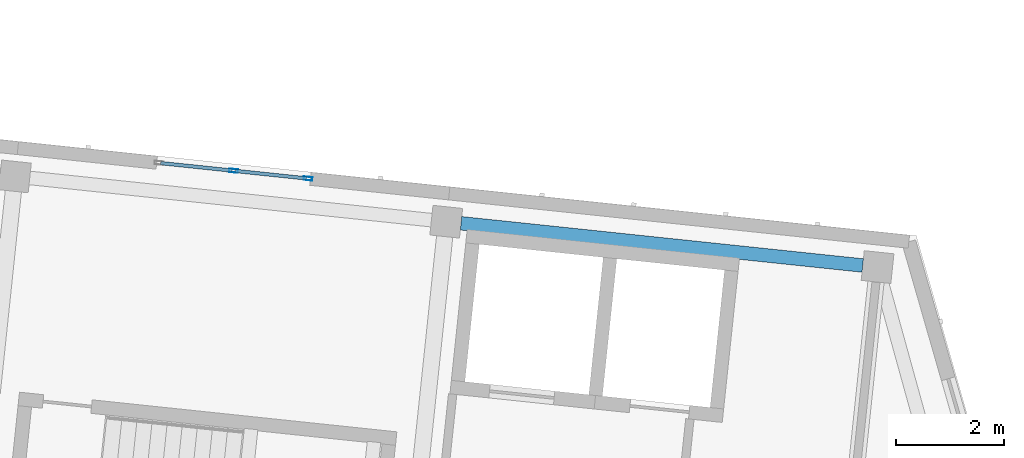
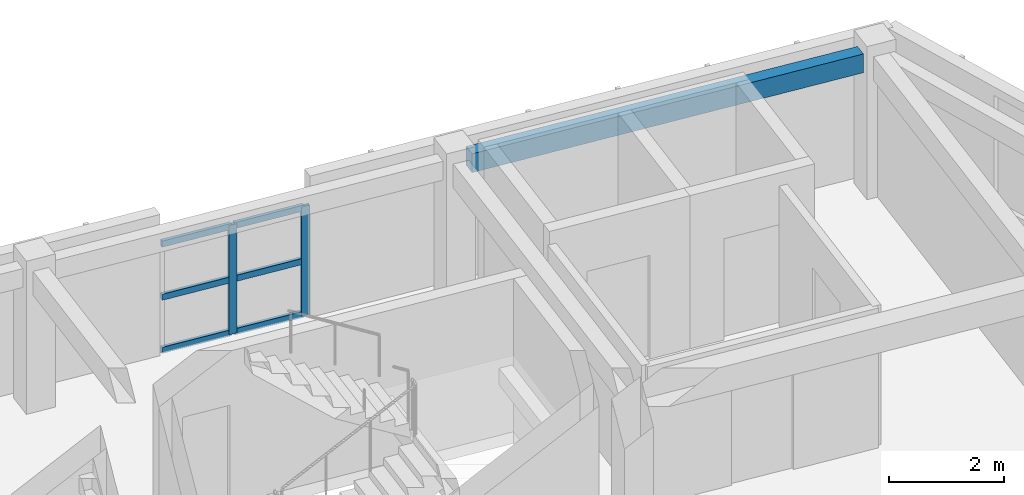
# One storey, part 16 of 68: 8 members, 1 beam, 1 element without a shape of its own.
"""IFC4 building model written with IfcOpenShell, lengths in metres."""

from ifc_helpers import new_model, si_unit, direction, frame, origin, origin_2d, place, context, subcontext, project, spatial, rectangle, hollow_rectangle, extrude, material, material_profile, profile_set, type_object, element, aggregate, save


model = new_model("IFC4")

# Units and contexts
model_context = context("Model", 3, precision=1e-05, world=origin(), true_north=direction((0.0, 1.0)))
body_context = subcontext(model_context, "Body", "Model", "MODEL_VIEW")
ifc_project = project(units=[si_unit("LENGTHUNIT", "METRE"), si_unit("AREAUNIT", "SQUARE_METRE"), si_unit("VOLUMEUNIT", "CUBIC_METRE"), si_unit("PLANEANGLEUNIT", "RADIAN"), si_unit("MASSUNIT", "GRAM", prefix="KILO")], contexts=[model_context])

# Site, building, storey
site_placement = place(None, origin())
site = spatial("IfcSite", under=ifc_project, at=site_placement, CompositionType="ELEMENT")
building_placement = place(site_placement, origin())
building = spatial("IfcBuilding", under=site, at=building_placement, Name="Kestramere Prow Commons", CompositionType="ELEMENT")
storey_placement = place(building_placement, frame((0.0, 0.0, 18.14990234375)))
storey = spatial("IfcBuildingStorey", under=building, at=storey_placement, Name="L05", CompositionType="ELEMENT", Elevation=18.14990234375)

# Curtain wall, members
ifc_material_1 = material(Name="Anodised Aluminium and Low-E Glass", Category="aluminium")
curtain_wall_type = type_object("IfcCurtainWallType", Name="CW-03 Glazed Curtain Wall 2830x2320", PredefinedType="USERDEFINED", material=ifc_material_1)
curtain_wall_placement = place(storey_placement, origin())
curtain_wall = element("IfcCurtainWall", 1, at=curtain_wall_placement, inside=storey, type_object=curtain_wall_type, Name="Block B L05 Stairwell Vertical Glazing 5", ObjectType="GLAZED CURTAIN WALL", PredefinedType="USERDEFINED")
ifc_material_2 = material(Name="Anodised Aluminium 6063-T6", Category="aluminium")
ifc_material_profile_1 = material_profile(ifc_material_2, hollow_rectangle(XDim=0.06494140625, YDim=0.159912109375, WallThickness=0.00390625, at=origin_2d()), Name="ALU-MUL 65x160")
ifc_profile_set_1 = profile_set([ifc_material_profile_1], Name="Anodised Aluminium 6063-T6")
member_type_1 = type_object("IfcMemberType", Name="CW-MUL-65x160", PredefinedType="MULLION", material=ifc_profile_set_1)
member_1_placement = place(storey_placement, frame((147.906494140625, 111.0517578125, 0.0), z_axis=(0.0, 0.0, 1.0), x_axis=(0.104528269348, 0.99452191575, 0.0)))
member_1 = element("IfcMember", 2, at=member_1_placement, type_object=member_type_1, Name="CW-03 mullion 2", PredefinedType="MULLION", context=body_context, shape_type="SweptSolid", body=[
    extrude(hollow_rectangle(XDim=0.06494140625, YDim=0.159912109375, WallThickness=0.00390625, at=origin_2d()), origin(), (0.0, 0.0, 1.0), 2.320068359375),
])
member_2_placement = place(storey_placement, frame((149.28125, 110.9072265625, 0.0), z_axis=(0.0, 0.0, 1.0), x_axis=(0.104528269348, 0.99452191575, 0.0)))
member_2 = element("IfcMember", 3, at=member_2_placement, type_object=member_type_1, Name="CW-03 mullion 3", PredefinedType="MULLION", context=body_context, shape_type="SweptSolid", body=[
    extrude(hollow_rectangle(XDim=0.06494140625, YDim=0.159912109375, WallThickness=0.00390625, at=origin_2d()), origin(), (0.0, 0.0, 1.0), 2.320068359375),
])
ifc_material_profile_2 = material_profile(ifc_material_2, hollow_rectangle(XDim=0.06494140625, YDim=0.1298828125, WallThickness=0.00390625, at=origin_2d()), Name="ALU-TRN 65x130")
ifc_profile_set_2 = profile_set([ifc_material_profile_2], Name="Anodised Aluminium 6063-T6")
member_type_2 = type_object("IfcMemberType", Name="CW-TRN-65x130", PredefinedType="USERDEFINED", material=ifc_profile_set_2)
member_3_placement = place(storey_placement, frame((146.563720703125, 111.19287109375, 0.03271484375), z_axis=(0.994523714271, -0.104511156111, 0.0), x_axis=(0.104511156111, 0.994523714271, 0.0)))
member_3 = element("IfcMember", 4, at=member_3_placement, type_object=member_type_2, Name="CW-03 transom 1.1", ObjectType="TRANSOM", PredefinedType="USERDEFINED", context=body_context, shape_type="SweptSolid", body=[
    extrude(hollow_rectangle(XDim=0.06494140625, YDim=0.1298828125, WallThickness=0.00390625, at=origin_2d()), origin(), (0.0, 0.0, 1.0), 1.317626953125),
])
member_4_placement = place(storey_placement, frame((146.563720703125, 111.19287109375, 1.16015625), z_axis=(0.994523714271, -0.104511156111, 0.0), x_axis=(0.104511156111, 0.994523714271, 0.0)))
member_4 = element("IfcMember", 5, at=member_4_placement, type_object=member_type_2, Name="CW-03 transom 1.2", ObjectType="TRANSOM", PredefinedType="USERDEFINED", context=body_context, shape_type="SweptSolid", body=[
    extrude(hollow_rectangle(XDim=0.06494140625, YDim=0.1298828125, WallThickness=0.00390625, at=origin_2d()), origin(), (0.0, 0.0, 1.0), 1.317626953125),
])
member_5_placement = place(storey_placement, frame((146.563720703125, 111.19287109375, 2.28759765625), z_axis=(0.994523714271, -0.104511156111, 0.0), x_axis=(0.104511156111, 0.994523714271, 0.0)))
member_5 = element("IfcMember", 6, at=member_5_placement, type_object=member_type_2, Name="CW-03 transom 1.3", ObjectType="TRANSOM", PredefinedType="USERDEFINED", context=body_context, shape_type="SweptSolid", body=[
    extrude(hollow_rectangle(XDim=0.06494140625, YDim=0.1298828125, WallThickness=0.00390625, at=origin_2d()), origin(), (0.0, 0.0, 1.0), 1.317626953125),
])
member_6_placement = place(storey_placement, frame((147.938720703125, 111.04833984375, 0.03271484375), z_axis=(0.994523714271, -0.104511156111, 0.0), x_axis=(0.104511156111, 0.994523714271, 0.0)))
member_6 = element("IfcMember", 7, at=member_6_placement, type_object=member_type_2, Name="CW-03 transom 2.1", ObjectType="TRANSOM", PredefinedType="USERDEFINED", context=body_context, shape_type="SweptSolid", body=[
    extrude(hollow_rectangle(XDim=0.06494140625, YDim=0.1298828125, WallThickness=0.00390625, at=origin_2d()), origin(), (0.0, 0.0, 1.0), 1.317626953125),
])
member_7_placement = place(storey_placement, frame((147.938720703125, 111.04833984375, 1.16015625), z_axis=(0.994523714271, -0.104511156111, 0.0), x_axis=(0.104511156111, 0.994523714271, 0.0)))
member_7 = element("IfcMember", 8, at=member_7_placement, type_object=member_type_2, Name="CW-03 transom 2.2", ObjectType="TRANSOM", PredefinedType="USERDEFINED", context=body_context, shape_type="SweptSolid", body=[
    extrude(hollow_rectangle(XDim=0.06494140625, YDim=0.1298828125, WallThickness=0.00390625, at=origin_2d()), origin(), (0.0, 0.0, 1.0), 1.317626953125),
])
member_8_placement = place(storey_placement, frame((147.938720703125, 111.04833984375, 2.28759765625), z_axis=(0.994523714271, -0.104511156111, 0.0), x_axis=(0.104511156111, 0.994523714271, 0.0)))
member_8 = element("IfcMember", 9, at=member_8_placement, type_object=member_type_2, Name="CW-03 transom 2.3", ObjectType="TRANSOM", PredefinedType="USERDEFINED", context=body_context, shape_type="SweptSolid", body=[
    extrude(hollow_rectangle(XDim=0.06494140625, YDim=0.1298828125, WallThickness=0.00390625, at=origin_2d()), origin(), (0.0, 0.0, 1.0), 1.317626953125),
])
aggregate(curtain_wall, [member_1, member_2, member_3, member_4, member_5, member_6, member_7, member_8])

# Beam
ifc_material_3 = material(Name="Precast concrete C40/50", Category="concrete")
ifc_material_profile_3 = material_profile(ifc_material_3, rectangle(XDim=0.25, YDim=0.39990234375, at=origin_2d()), Name="PC-SP 250x400")
ifc_profile_set_3 = profile_set([ifc_material_profile_3], Name="Precast concrete C40/50")
beam_type = type_object("IfcBeamType", Name="SP-EXT-01 PC-SP 250x400", PredefinedType="SPANDREL", material=ifc_profile_set_3)
beam_placement = place(storey_placement, frame((152.10302734375, 110.082763671875, 2.800048828125), z_axis=(0.994520884665, -0.104538079019, 0.0), x_axis=(0.104538079019, 0.994520884665, 0.0)))
element("IfcBeam", 10, at=beam_placement, inside=storey, type_object=beam_type, Name="Block B L05 Longitudinal Beam 4-6", PredefinedType="SPANDREL", context=body_context, shape_type="SweptSolid", body=[
    extrude(rectangle(XDim=0.25, YDim=0.39990234375, at=origin_2d()), origin(), (0.0, 0.0, 1.0), 7.449951171875),
])

save(model, "model.ifc")
